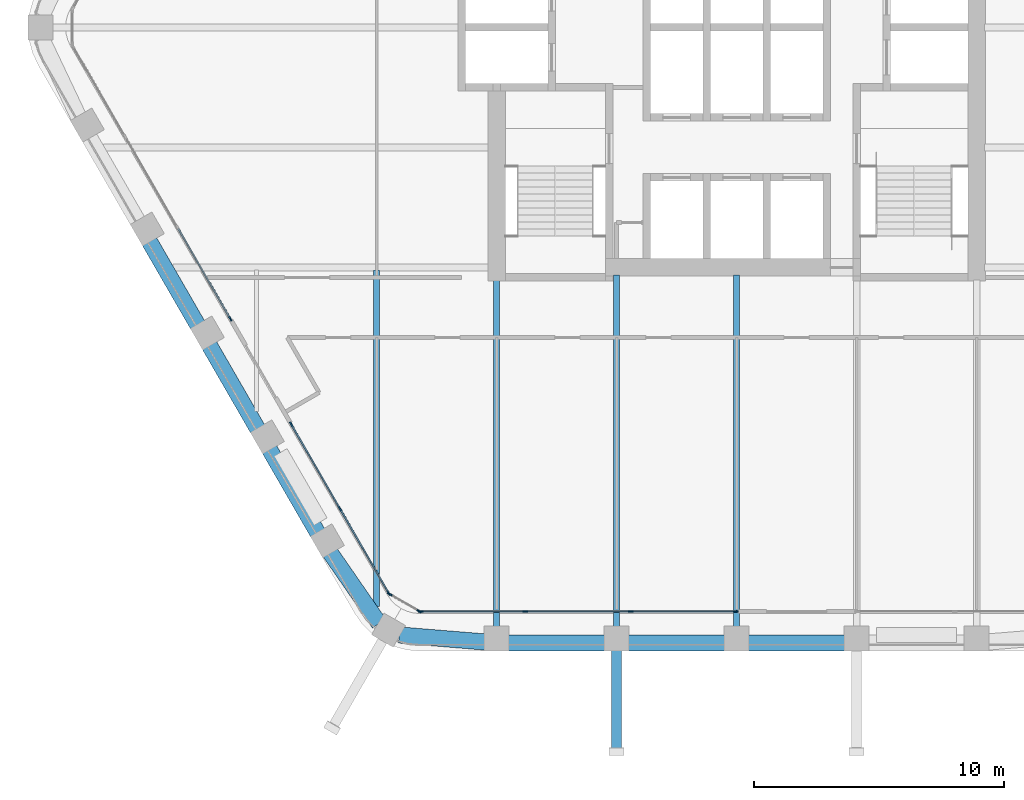
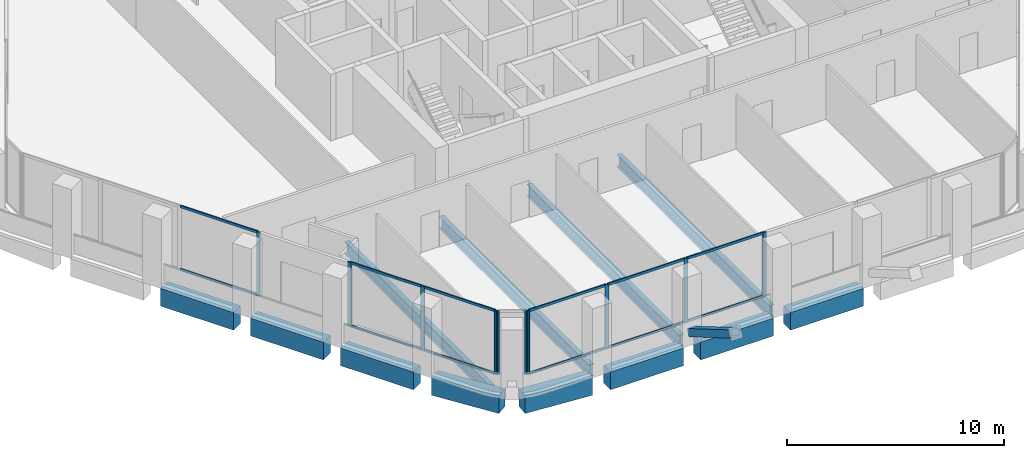
# One storey, part 2 of 16: 23 members, 12 beams, 4 elements without a shape of their own.
"""IFC4 building model written with IfcOpenShell, lengths in metres."""

import ifcopenshell
import ifcopenshell.guid

model = None  # the IFC model being written
_history = None  # IfcOwnerHistory: only IFC2X3 demands one
_inside = {}  # id of a spatial element -> (the spatial element, [elements in it])
_under = {}  # id of a project, library or spatial element -> (it, [spatial elements below it])
_declared = {}  # id of a project -> (the project, [libraries it declares])
_typed = {}  # id of a type object -> (the type object, [elements of that type])
_made_of = {}  # id of a material, layer set ... -> (it, [elements and type objects made of it])


def new_model(schema):
    """Start an empty IFC model of exactly this schema.

    Asked for "IFC4X3", IfcOpenShell would pick the latest addendum, in which some entities
    have other attributes; the version numbers below select the first issue.
    IFC2X3 requires an IfcOwnerHistory on every rooted entity: one is made here for all.
    """
    global model, _history
    if schema == "IFC4X3":
        model = ifcopenshell.file(schema_version=(4, 3, 0, 0))
    else:
        model = ifcopenshell.file(schema=schema)
    _inside.clear()
    _under.clear()
    _declared.clear()
    _typed.clear()
    _made_of.clear()
    _history = None
    if model.schema == "IFC2X3":
        org = make("IfcOrganization", Name="unknown")
        user = make(
            "IfcPersonAndOrganization",
            ThePerson=make("IfcPerson", FamilyName="unknown"),
            TheOrganization=org,
        )
        app = make(
            "IfcApplication",
            ApplicationDeveloper=org,
            Version="unknown",
            ApplicationFullName="unknown",
            ApplicationIdentifier="unknown",
        )
        _history = make(
            "IfcOwnerHistory",
            OwningUser=user,
            OwningApplication=app,
            ChangeAction="ADDED",
            CreationDate=0,
        )
    return model


def make(cls, **values):
    """One entity of the class cls with the attributes given. An attribute that is None is left unset."""
    return model.create_entity(
        cls, **{name: value for name, value in values.items() if value is not None}
    )


def rooted(cls, **values):
    """An entity with a GlobalId (a new one), such as an element, a storey or a relation."""
    return make(cls, GlobalId=ifcopenshell.guid.new(), OwnerHistory=_history, **values)


def si_unit(unit_type, name, prefix=None):
    """IfcSIUnit, for example si_unit("LENGTHUNIT", "METRE", prefix="MILLI")."""
    return make("IfcSIUnit", UnitType=unit_type, Prefix=prefix, Name=name)


def assignment(units):
    """IfcUnitAssignment: the units of a project."""
    return None if units is None else make("IfcUnitAssignment", Units=units)


def point(xyz):
    """IfcCartesianPoint."""
    return None if xyz is None else make("IfcCartesianPoint", Coordinates=xyz)


def direction(xyz):
    """IfcDirection."""
    return None if xyz is None else make("IfcDirection", DirectionRatios=xyz)


def frame(location, z_axis=None, x_axis=None):
    """IfcAxis2Placement3D, a coordinate frame: its origin and axes. An axis left out is left unset."""
    return make(
        "IfcAxis2Placement3D",
        Location=point(location),
        Axis=direction(z_axis),
        RefDirection=direction(x_axis),
    )


def frame_2d(location, x_axis=None):
    """IfcAxis2Placement2D, a coordinate frame in the plane: its origin and x axis."""
    return make(
        "IfcAxis2Placement2D", Location=point(location), RefDirection=direction(x_axis)
    )


def origin():
    """The frame at (0, 0, 0) with its axes left unset."""
    return frame((0.0, 0.0, 0.0))


def origin_2d():
    """The frame at (0, 0) in the plane with its x axis left unset."""
    return frame_2d((0.0, 0.0))


def place(relative_to, where):
    """IfcLocalPlacement: puts the frame where relative to a parent placement (None: the world)."""
    return make(
        "IfcLocalPlacement", PlacementRelTo=relative_to, RelativePlacement=where
    )


def context(
    kind, dimensions, precision=None, world=None, true_north=None, identifier=None
):
    """IfcGeometricRepresentationContext, for example the 3D "Model" context."""
    return make(
        "IfcGeometricRepresentationContext",
        ContextIdentifier=identifier,
        ContextType=kind,
        CoordinateSpaceDimension=dimensions,
        Precision=precision,
        WorldCoordinateSystem=world,
        TrueNorth=true_north,
    )


def subcontext(parent, identifier, kind, view, scale=None):
    """IfcGeometricRepresentationSubContext, for example "Body" below "Model"."""
    return make(
        "IfcGeometricRepresentationSubContext",
        ContextIdentifier=identifier,
        ContextType=kind,
        ParentContext=parent,
        TargetScale=scale,
        TargetView=view,
    )


def project(units=None, contexts=None):
    """IfcProject with its units and contexts."""
    return rooted(
        "IfcProject",
        Name="project",
        RepresentationContexts=contexts,
        UnitsInContext=assignment(units),
    )


def spatial(cls, under=None, at=None, **own):
    """A site, building, storey or space (cls), placed at a placement, below another one or the project."""
    s = rooted(cls, ObjectPlacement=at, **own)
    if under is not None:
        _under.setdefault(under.id(), (under, []))[1].append(s)
    return s


def profile(cls, at=None, kind="AREA", **sizes):
    """A parametric profile (cls). Its sizes go by their IFC names, for example OverallWidth=200.0."""
    return make(cls, ProfileType=kind, Position=at, **sizes)


def rectangle(**sizes):
    """IfcRectangleProfileDef."""
    return profile("IfcRectangleProfileDef", **sizes)


def hollow_rectangle(**sizes):
    """IfcRectangleHollowProfileDef."""
    return profile("IfcRectangleHollowProfileDef", **sizes)


def i_section(**sizes):
    """IfcIShapeProfileDef."""
    return profile("IfcIShapeProfileDef", **sizes)


def extrude(swept, where, along, depth):
    """IfcExtrudedAreaSolid: the profile swept, set in the frame where, extruded along a direction by depth."""
    return make(
        "IfcExtrudedAreaSolid",
        SweptArea=swept,
        Position=where,
        ExtrudedDirection=direction(along),
        Depth=depth,
    )


def shape(context_of_items, identifier, shape_type, items):
    """IfcShapeRepresentation: the items that make up one representation, for example the "Body"."""
    return make(
        "IfcShapeRepresentation",
        ContextOfItems=context_of_items,
        RepresentationIdentifier=identifier,
        RepresentationType=shape_type,
        Items=items,
    )


def material(Name=None, Category=None):
    """IfcMaterial."""
    return make("IfcMaterial", Name=Name, Category=Category)


def material_profile(
    of_material, cross_section, Name=None, Category=None, Priority=None
):
    """IfcMaterialProfile: a cross section and its material."""
    return make(
        "IfcMaterialProfile",
        Name=Name,
        Material=of_material,
        Profile=cross_section,
        Priority=Priority,
        Category=Category,
    )


def profile_set(profiles, Name=None, composite=None):
    """IfcMaterialProfileSet."""
    return make(
        "IfcMaterialProfileSet",
        Name=Name,
        MaterialProfiles=profiles,
        CompositeProfile=composite,
    )


def made_of(thing, what):
    """Note that an element or type object is made of a material, layer set ...; save() writes the relation."""
    if what is not None:
        _made_of.setdefault(what.id(), (what, []))[1].append(thing)
    return thing


def type_object(cls, material=None, **own):
    """A type object (cls), such as IfcWallType, which elements share."""
    return made_of(rooted(cls, **own), material)


def element(
    cls,
    number,
    at=None,
    inside=None,
    cuts=None,
    type_object=None,
    material=None,
    context=None,
    identifier="Body",
    shape_type=None,
    held_by="IfcProductDefinitionShape",
    body=None,
    shapes=None,
    **own,
):
    """One element of the class cls, such as IfcWall. Its Tag is "e" and its number.

    at: its placement. inside: the storey or other place that contains it. cuts: it is an
    opening in that element (IfcRelVoidsElement). A single representation is given by context,
    identifier, shape_type and body (its items); several are given by shapes. held_by: the class
    of the entity that holds the representations. save() writes the other relations.
    """
    e = rooted(cls, Tag="e%d" % number, ObjectPlacement=at, **own)
    if body is not None:
        shapes = [shape(context, identifier, shape_type, body)]
    if shapes is not None:
        e.Representation = make(held_by, Representations=shapes)
    if inside is not None:
        _inside.setdefault(inside.id(), (inside, []))[1].append(e)
    if cuts is not None:
        rooted(
            "IfcRelVoidsElement", RelatingBuildingElement=cuts, RelatedOpeningElement=e
        )
    if type_object is not None:
        _typed.setdefault(type_object.id(), (type_object, []))[1].append(e)
    return made_of(e, material)


def aggregate(whole, parts):
    """IfcRelAggregates: a whole, such as a stair, and the parts it consists of."""
    return rooted("IfcRelAggregates", RelatingObject=whole, RelatedObjects=parts)


def save(model, path):
    """Write the relations noted so far, then the file.

    IfcRelAggregates (storeys below a building ...), IfcRelContainedInSpatialStructure (elements
    in a storey), IfcRelDefinesByType, IfcRelAssociatesMaterial and IfcRelDeclares: one each for
    every whole, place, type object, material and project.
    """
    for whole, parts in _under.values():
        aggregate(whole, parts)
    for where, things in _inside.values():
        rooted(
            "IfcRelContainedInSpatialStructure",
            RelatedElements=things,
            RelatingStructure=where,
        )
    for kind, things in _typed.values():
        rooted("IfcRelDefinesByType", RelatedObjects=things, RelatingType=kind)
    for what, things in _made_of.values():
        rooted("IfcRelAssociatesMaterial", RelatedObjects=things, RelatingMaterial=what)
    for by, libraries in _declared.values():
        rooted("IfcRelDeclares", RelatingContext=by, RelatedDefinitions=libraries)
    model.write(path)


model = new_model("IFC4")

# Units and contexts
model_context = context("Model", 3, precision=1e-05, world=origin(), true_north=direction((0.0, 1.0)))
body_context = subcontext(model_context, "Body", "Model", "MODEL_VIEW")
ifc_project = project(units=[si_unit("LENGTHUNIT", "METRE"), si_unit("AREAUNIT", "SQUARE_METRE"), si_unit("VOLUMEUNIT", "CUBIC_METRE"), si_unit("PLANEANGLEUNIT", "RADIAN"), si_unit("MASSUNIT", "GRAM", prefix="KILO")], contexts=[model_context])

# Site, building, storey
site_placement = place(None, origin())
site = spatial("IfcSite", under=ifc_project, at=site_placement, CompositionType="ELEMENT")
building_placement = place(site_placement, origin())
building = spatial("IfcBuilding", under=site, at=building_placement, Name="Kolab Exchange Tower", CompositionType="ELEMENT")
storey_placement = place(building_placement, frame((0.0, 0.0, 193.39990234375)))
storey = spatial("IfcBuildingStorey", under=building, at=storey_placement, Name="L41", CompositionType="ELEMENT", Elevation=193.39990234375)

# Beams
ifc_material_1 = material(Name="Steel S355", Category="steel")
ifc_material_profile_1 = material_profile(ifc_material_1, i_section(OverallWidth=0.25390625, OverallDepth=0.68408203125, WebThickness=0.012451171875, FlangeThickness=0.018798828125, at=origin_2d()), Name="W690X140")
ifc_profile_set_1 = profile_set([ifc_material_profile_1], Name="Steel S355")
beam_type_1 = type_object("IfcBeamType", Name="FLOOR BEAM W690X140", PredefinedType="BEAM", material=ifc_profile_set_1)
beam_1_placement = place(storey_placement, frame((-14.39990234375, -23.15576171875, -0.491943359375), z_axis=(0.0, 1.0, 0.0), x_axis=(-1.0, 0.0, 0.0)))
element("IfcBeam", 1, at=beam_1_placement, inside=storey, type_object=beam_type_1, Name="beam/L41/fr/005", PredefinedType="BEAM", context=body_context, shape_type="SweptSolid", body=[
    extrude(i_section(OverallWidth=0.25390625, OverallDepth=0.68408203125, WebThickness=0.012451171875, FlangeThickness=0.018798828125, at=origin_2d()), origin(), (0.0, 0.0, 1.0), 13.462158203125),
])
beam_2_placement = place(storey_placement, frame((-9.60009765625, -23.9814453125, -0.491943359375), z_axis=(0.0, 1.0, 0.0), x_axis=(-1.0, 0.0, 0.0)))
element("IfcBeam", 2, at=beam_2_placement, inside=storey, type_object=beam_type_1, Name="beam/L41/fr/007", PredefinedType="BEAM", context=body_context, shape_type="SweptSolid", body=[
    extrude(i_section(OverallWidth=0.25390625, OverallDepth=0.68408203125, WebThickness=0.012451171875, FlangeThickness=0.018798828125, at=origin_2d()), origin(), (0.0, 0.0, 1.0), 13.871337890625),
])
for number, where, z_axis, x_axis, name in (
    (3, (-4.800048828125, -23.9814453125, -0.491943359375), (0.0, 1.0, 0.0), (-1.0, 0.0, 0.0), "beam/L41/fr/009"),
    (4, (0.0, -23.9814453125, -0.491943359375), (0.0, 1.0, 0.0), (-1.0, 0.0, 0.0), "beam/L41/fr/011"),
):
    element("IfcBeam", number, at=place(storey_placement, frame(where, z_axis=z_axis, x_axis=x_axis)), inside=storey, type_object=beam_type_1, Name=name, PredefinedType="BEAM", context=body_context, shape_type="SweptSolid", body=[
        extrude(i_section(OverallWidth=0.25390625, OverallDepth=0.68408203125, WebThickness=0.012451171875, FlangeThickness=0.018798828125, at=origin_2d()), origin(), (0.0, 0.0, 1.0), 14.071533203125),
    ])

# Member
ifc_material_profile_2 = material_profile(ifc_material_1, hollow_rectangle(XDim=0.39990234375, YDim=0.39990234375, WallThickness=0.02001953125, at=origin_2d()), Name="HSS400X400X20")
ifc_profile_set_2 = profile_set([ifc_material_profile_2], Name="Steel S355")
member_type_1 = type_object("IfcMemberType", Name="LEDGE STRUT HSS400X400X20", PredefinedType="STRUT", material=ifc_profile_set_2)
member_1_placement = place(storey_placement, frame((-4.800048828125, -24.901611328125, 0.60009765625), z_axis=(0.0, -0.862719931648, 0.505682034027), x_axis=(1.0, 0.0, 0.0)))
element("IfcMember", 5, at=member_1_placement, inside=storey, type_object=member_type_1, Name="mem/L41/ledge/strut-5", PredefinedType="STRUT", context=body_context, shape_type="SweptSolid", body=[
    extrude(hollow_rectangle(XDim=0.39990234375, YDim=0.39990234375, WallThickness=0.02001953125, at=origin_2d()), origin(), (0.0, 0.0, 1.0), 4.6826171875),
])

# Beams
ifc_material_2 = material(Name="Concrete C60/75", Category="concrete")
ifc_material_profile_3 = material_profile(ifc_material_2, rectangle(XDim=0.64990234375, YDim=1.0, at=origin_2d()), Name="RC650X1000")
ifc_profile_set_3 = profile_set([ifc_material_profile_3], Name="Concrete C60/75")
beam_type_2 = type_object("IfcBeamType", Name="SPANDREL BEAM 650X1000 C60/75", PredefinedType="BEAM", material=ifc_profile_set_3)
for number, where, z_axis, x_axis, name in (
    (6, (4.340087890625, -24.616455078125, -0.64990234375), (-1.0, 0.0, 0.0), (0.0, -1.0, 0.0), "beam/L41/sp/F4-03"),
    (7, (-0.4599609375, -24.616455078125, -0.64990234375), (-1.0, 0.0, 0.0), (0.0, -1.0, 0.0), "beam/L41/sp/F4-04"),
):
    element("IfcBeam", number, at=place(storey_placement, frame(where, z_axis=z_axis, x_axis=x_axis)), inside=storey, type_object=beam_type_2, Name=name, PredefinedType="BEAM", context=body_context, shape_type="SweptSolid", body=[
        extrude(rectangle(XDim=0.64990234375, YDim=1.0, at=origin_2d()), origin(), (0.0, 0.0, 1.0), 3.880126953125),
    ])
beam_3_placement = place(storey_placement, frame((-5.260009765625, -24.616455078125, -0.64990234375), z_axis=(-1.0, 0.0, 0.0), x_axis=(0.0, -1.0, 0.0)))
element("IfcBeam", 8, at=beam_3_placement, inside=storey, type_object=beam_type_2, Name="beam/L41/sp/F4-05", PredefinedType="BEAM", context=body_context, shape_type="SweptSolid", body=[
    extrude(rectangle(XDim=0.64990234375, YDim=1.0, at=origin_2d()), origin(), (0.0, 0.0, 1.0), 3.8798828125),
])
for number, where, z_axis, x_axis, name in (
    (9, (-10.06005859375, -24.5791015625, -0.64990234375), (-0.996708497182, 0.081068931445, 0.0), (-0.081068931445, -0.996708497182, 0.0), "beam/L41/sp/F4-06"),
    (10, (-14.29736328125, -23.8359375, -0.64990234375), (-0.568572281073, 0.822633309073, 0.0), (-0.822633309073, -0.568572281073, 0.0), "beam/L41/sp/F5-01"),
):
    element("IfcBeam", number, at=place(storey_placement, frame(where, z_axis=z_axis, x_axis=x_axis)), inside=storey, type_object=beam_type_2, Name=name, PredefinedType="BEAM", context=body_context, shape_type="SweptSolid", body=[
        extrude(rectangle(XDim=0.64990234375, YDim=1.0, at=origin_2d()), origin(), (0.0, 0.0, 1.0), 3.445068359375),
    ])
beam_4_placement = place(storey_placement, frame((-16.74853515625, -20.2236328125, -0.64990234375), z_axis=(-0.499996613652, 0.866027358884, 0.0), x_axis=(-0.866027358884, -0.499996613652, 0.0)))
element("IfcBeam", 11, at=beam_4_placement, inside=storey, type_object=beam_type_2, Name="beam/L41/sp/F5-02", PredefinedType="BEAM", context=body_context, shape_type="SweptSolid", body=[
    extrude(rectangle(XDim=0.64990234375, YDim=1.0, at=origin_2d()), origin(), (0.0, 0.0, 1.0), 3.8798828125),
])
beam_5_placement = place(storey_placement, frame((-19.1484375, -16.06689453125, -0.64990234375), z_axis=(-0.50001655835, 0.866015843605, 0.0), x_axis=(-0.866015843605, -0.50001655835, 0.0)))
element("IfcBeam", 12, at=beam_5_placement, inside=storey, type_object=beam_type_2, Name="beam/L41/sp/F5-03", PredefinedType="BEAM", context=body_context, shape_type="SweptSolid", body=[
    extrude(rectangle(XDim=0.64990234375, YDim=1.0, at=origin_2d()), origin(), (0.0, 0.0, 1.0), 3.880126953125),
])
beam_6_placement = place(storey_placement, frame((-21.548583984375, -11.909912109375, -0.64990234375), z_axis=(-0.499996613652, 0.866027358884, 0.0), x_axis=(-0.866027358884, -0.499996613652, 0.0)))
element("IfcBeam", 13, at=beam_6_placement, inside=storey, type_object=beam_type_2, Name="beam/L41/sp/F5-04", PredefinedType="BEAM", context=body_context, shape_type="SweptSolid", body=[
    extrude(rectangle(XDim=0.64990234375, YDim=1.0, at=origin_2d()), origin(), (0.0, 0.0, 1.0), 3.8798828125),
])

# Curtain wall, members
ifc_material_3 = material(Name="Aluminium EN AW-6063 T6", Category="aluminium")
curtain_wall_type = type_object("IfcCurtainWallType", Name="UNITISED UPPER MID ZONE CURTAIN WALL", PredefinedType="NOTDEFINED", material=ifc_material_3)
curtain_wall_1_placement = place(storey_placement, origin())
curtain_wall_1 = element("IfcCurtainWall", 14, at=curtain_wall_1_placement, inside=storey, type_object=curtain_wall_type, Name="cw/L41/F4-2", PredefinedType="NOTDEFINED")
ifc_material_profile_4 = material_profile(ifc_material_3, rectangle(XDim=0.06005859375, YDim=0.199951171875, at=origin_2d()), Name="RECT 60X200")
ifc_profile_set_4 = profile_set([ifc_material_profile_4], Name="Aluminium EN AW-6063 T6")
member_type_2 = type_object("IfcMemberType", Name="UNITISED UPPER MID ZONE MULLION 60 X 200", PredefinedType="MULLION", material=ifc_profile_set_4)
member_2_placement = place(storey_placement, frame((-0.030029296875, -23.361572265625, 0.0), z_axis=(0.0, 0.0, 1.0), x_axis=(0.0, -1.0, 0.0)))
member_2 = element("IfcMember", 15, at=member_2_placement, type_object=member_type_2, Name="CW3 mullion 1", PredefinedType="MULLION", context=body_context, shape_type="SweptSolid", body=[
    extrude(rectangle(XDim=0.06005859375, YDim=0.199951171875, at=origin_2d()), origin(), (0.0, 0.0, 1.0), 3.60009765625),
])
member_3_placement = place(storey_placement, frame((-4.22265625, -23.361572265625, 0.0), z_axis=(0.0, 0.0, 1.0), x_axis=(0.0, -1.0, 0.0)))
member_3 = element("IfcMember", 16, at=member_3_placement, type_object=member_type_2, Name="CW3 mullion 2", PredefinedType="MULLION", context=body_context, shape_type="SweptSolid", body=[
    extrude(rectangle(XDim=0.06005859375, YDim=0.199951171875, at=origin_2d()), origin(), (0.0, 0.0, 1.0), 3.60009765625),
])
member_4_placement = place(storey_placement, frame((-8.4453125, -23.361572265625, 0.0), z_axis=(0.0, 0.0, 1.0), x_axis=(0.0, -1.0, 0.0)))
member_4 = element("IfcMember", 17, at=member_4_placement, type_object=member_type_2, Name="CW3 mullion 3", PredefinedType="MULLION", context=body_context, shape_type="SweptSolid", body=[
    extrude(rectangle(XDim=0.06005859375, YDim=0.199951171875, at=origin_2d()), origin(), (0.0, 0.0, 1.0), 3.60009765625),
])
member_5_placement = place(storey_placement, frame((-12.637939453125, -23.361572265625, 0.0), z_axis=(0.0, 0.0, 1.0), x_axis=(0.0, -1.0, 0.0)))
member_5 = element("IfcMember", 18, at=member_5_placement, type_object=member_type_2, Name="CW3 mullion 4", PredefinedType="MULLION", context=body_context, shape_type="SweptSolid", body=[
    extrude(rectangle(XDim=0.06005859375, YDim=0.199951171875, at=origin_2d()), origin(), (0.0, 0.0, 1.0), 3.60009765625),
])

curtain_wall_2_placement = place(storey_placement, origin())
curtain_wall_2 = element("IfcCurtainWall", 19, at=curtain_wall_2_placement, inside=storey, type_object=curtain_wall_type, Name="cw/L41/F5-1", PredefinedType="NOTDEFINED")
member_6_placement = place(storey_placement, frame((-13.91259765625, -22.62548828125, 0.0), z_axis=(0.0, 0.0, 1.0), x_axis=(-0.866025385493, -0.500000031681, 0.0)))
member_6 = element("IfcMember", 20, at=member_6_placement, type_object=member_type_2, Name="CW3 mullion 1", PredefinedType="MULLION", context=body_context, shape_type="SweptSolid", body=[
    extrude(rectangle(XDim=0.06005859375, YDim=0.199951171875, at=origin_2d()), origin(), (0.0, 0.0, 1.0), 3.60009765625),
])
member_7_placement = place(storey_placement, frame((-15.86474609375, -19.24462890625, 0.0), z_axis=(0.0, 0.0, 1.0), x_axis=(-0.866025385493, -0.500000031681, 0.0)))
member_7 = element("IfcMember", 21, at=member_7_placement, type_object=member_type_2, Name="CW3 mullion 2", PredefinedType="MULLION", context=body_context, shape_type="SweptSolid", body=[
    extrude(rectangle(XDim=0.06005859375, YDim=0.199951171875, at=origin_2d()), origin(), (0.0, 0.0, 1.0), 3.60009765625),
])
member_8_placement = place(storey_placement, frame((-17.816650390625, -15.86376953125, 0.0), z_axis=(0.0, 0.0, 1.0), x_axis=(-0.866025385493, -0.500000031681, 0.0)))
member_8 = element("IfcMember", 22, at=member_8_placement, type_object=member_type_2, Name="CW3 mullion 3", PredefinedType="MULLION", context=body_context, shape_type="SweptSolid", body=[
    extrude(rectangle(XDim=0.06005859375, YDim=0.199951171875, at=origin_2d()), origin(), (0.0, 0.0, 1.0), 3.60009765625),
])

# Curtain wall, member
curtain_wall_3_placement = place(storey_placement, origin())
curtain_wall_3 = element("IfcCurtainWall", 23, at=curtain_wall_3_placement, inside=storey, type_object=curtain_wall_type, Name="cw/L41/F5-2", PredefinedType="NOTDEFINED")
member_9_placement = place(storey_placement, frame((-20.24658203125, -11.65478515625, 0.0), z_axis=(0.0, 0.0, 1.0), x_axis=(-0.866025427826, -0.499999958358, 0.0)))
member_9 = element("IfcMember", 24, at=member_9_placement, type_object=member_type_2, Name="CW3 mullion 1", PredefinedType="MULLION", context=body_context, shape_type="SweptSolid", body=[
    extrude(rectangle(XDim=0.06005859375, YDim=0.199951171875, at=origin_2d()), origin(), (0.0, 0.0, 1.0), 3.60009765625),
])

# Curtain wall, members
curtain_wall_4_placement = place(storey_placement, origin())
curtain_wall_4 = element("IfcCurtainWall", 25, at=curtain_wall_4_placement, inside=storey, type_object=curtain_wall_type, Name="cw/L41/F4F5-corner", PredefinedType="NOTDEFINED")
member_10_placement = place(storey_placement, frame((-12.69384765625, -23.346435546875, 0.0), z_axis=(0.0, 0.0, 1.0), x_axis=(-0.50000002237, -0.866025390869, 0.0)))
member_10 = element("IfcMember", 26, at=member_10_placement, type_object=member_type_2, Name="CW3 mullion 1", PredefinedType="MULLION", context=body_context, shape_type="SweptSolid", body=[
    extrude(rectangle(XDim=0.06005859375, YDim=0.199951171875, at=origin_2d()), origin(), (0.0, 0.0, 1.0), 3.60009765625),
])
member_11_placement = place(storey_placement, frame((-13.871826171875, -22.66650390625, 0.0), z_axis=(0.0, 0.0, 1.0), x_axis=(-0.50000002237, -0.866025390869, 0.0)))
member_11 = element("IfcMember", 27, at=member_11_placement, type_object=member_type_2, Name="CW3 mullion 2", PredefinedType="MULLION", context=body_context, shape_type="SweptSolid", body=[
    extrude(rectangle(XDim=0.06005859375, YDim=0.199951171875, at=origin_2d()), origin(), (0.0, 0.0, 1.0), 3.60009765625),
])
aggregate(curtain_wall_4, [member_10, member_11])

# Member
ifc_material_profile_5 = material_profile(ifc_material_3, rectangle(XDim=0.06005859375, YDim=0.139892578125, at=origin_2d()), Name="RECT 60X140")
ifc_profile_set_5 = profile_set([ifc_material_profile_5], Name="Aluminium EN AW-6063 T6")
member_type_3 = type_object("IfcMemberType", Name="UNITISED UPPER MID ZONE TRANSOM 60 X 140", PredefinedType="USERDEFINED", material=ifc_profile_set_5)
member_12_placement = place(storey_placement, frame((-0.06005859375, -23.361572265625, 0.030029296875), z_axis=(-1.0, 0.0, 0.0), x_axis=(0.0, -1.0, 0.0)))
member_12 = element("IfcMember", 28, at=member_12_placement, type_object=member_type_3, Name="CW3 transom 1.1", ObjectType="TRANSOM", PredefinedType="USERDEFINED", context=body_context, shape_type="SweptSolid", body=[
    extrude(rectangle(XDim=0.06005859375, YDim=0.139892578125, at=origin_2d()), origin(), (0.0, 0.0, 1.0), 4.132568359375),
])

member_13_placement = place(storey_placement, frame((-0.06005859375, -23.361572265625, 3.570068359375), z_axis=(-1.0, 0.0, 0.0), x_axis=(0.0, -1.0, 0.0)))
member_13 = element("IfcMember", 29, at=member_13_placement, type_object=member_type_3, Name="CW3 transom 1.2", ObjectType="TRANSOM", PredefinedType="USERDEFINED", context=body_context, shape_type="SweptSolid", body=[
    extrude(rectangle(XDim=0.06005859375, YDim=0.139892578125, at=origin_2d()), origin(), (0.0, 0.0, 1.0), 4.132568359375),
])

member_14_placement = place(storey_placement, frame((-4.252685546875, -23.361572265625, 0.030029296875), z_axis=(-1.0, 0.0, 0.0), x_axis=(0.0, -1.0, 0.0)))
member_14 = element("IfcMember", 30, at=member_14_placement, type_object=member_type_3, Name="CW3 transom 2.1", ObjectType="TRANSOM", PredefinedType="USERDEFINED", context=body_context, shape_type="SweptSolid", body=[
    extrude(rectangle(XDim=0.06005859375, YDim=0.139892578125, at=origin_2d()), origin(), (0.0, 0.0, 1.0), 4.16259765625),
])

member_15_placement = place(storey_placement, frame((-4.252685546875, -23.361572265625, 3.570068359375), z_axis=(-1.0, 0.0, 0.0), x_axis=(0.0, -1.0, 0.0)))
member_15 = element("IfcMember", 31, at=member_15_placement, type_object=member_type_3, Name="CW3 transom 2.2", ObjectType="TRANSOM", PredefinedType="USERDEFINED", context=body_context, shape_type="SweptSolid", body=[
    extrude(rectangle(XDim=0.06005859375, YDim=0.139892578125, at=origin_2d()), origin(), (0.0, 0.0, 1.0), 4.16259765625),
])

member_16_placement = place(storey_placement, frame((-8.475341796875, -23.361572265625, 0.030029296875), z_axis=(-1.0, 0.0, 0.0), x_axis=(0.0, -1.0, 0.0)))
member_16 = element("IfcMember", 32, at=member_16_placement, type_object=member_type_3, Name="CW3 transom 3.1", ObjectType="TRANSOM", PredefinedType="USERDEFINED", context=body_context, shape_type="SweptSolid", body=[
    extrude(rectangle(XDim=0.06005859375, YDim=0.139892578125, at=origin_2d()), origin(), (0.0, 0.0, 1.0), 4.132568359375),
])

member_17_placement = place(storey_placement, frame((-8.475341796875, -23.361572265625, 3.570068359375), z_axis=(-1.0, 0.0, 0.0), x_axis=(0.0, -1.0, 0.0)))
member_17 = element("IfcMember", 33, at=member_17_placement, type_object=member_type_3, Name="CW3 transom 3.2", ObjectType="TRANSOM", PredefinedType="USERDEFINED", context=body_context, shape_type="SweptSolid", body=[
    extrude(rectangle(XDim=0.06005859375, YDim=0.139892578125, at=origin_2d()), origin(), (0.0, 0.0, 1.0), 4.132568359375),
])

aggregate(curtain_wall_1, [member_2, member_3, member_4, member_5, member_12, member_13, member_14, member_15, member_16, member_17])

member_18_placement = place(storey_placement, frame((-13.927734375, -22.599609375, 0.030029296875), z_axis=(-0.499964356602, 0.866045981532, 0.0), x_axis=(-0.866045981532, -0.499964356602, 0.0)))
member_18 = element("IfcMember", 34, at=member_18_placement, type_object=member_type_3, Name="CW3 transom 1.1", ObjectType="TRANSOM", PredefinedType="USERDEFINED", context=body_context, shape_type="SweptSolid", body=[
    extrude(rectangle(XDim=0.06005859375, YDim=0.139892578125, at=origin_2d()), origin(), (0.0, 0.0, 1.0), 3.843994140625),
])

member_19_placement = place(storey_placement, frame((-13.927734375, -22.599609375, 3.570068359375), z_axis=(-0.499964356602, 0.866045981532, 0.0), x_axis=(-0.866045981532, -0.499964356602, 0.0)))
member_19 = element("IfcMember", 35, at=member_19_placement, type_object=member_type_3, Name="CW3 transom 1.2", ObjectType="TRANSOM", PredefinedType="USERDEFINED", context=body_context, shape_type="SweptSolid", body=[
    extrude(rectangle(XDim=0.06005859375, YDim=0.139892578125, at=origin_2d()), origin(), (0.0, 0.0, 1.0), 3.843994140625),
])

member_20_placement = place(storey_placement, frame((-15.879638671875, -19.21875, 0.030029296875), z_axis=(-0.500011990396, 0.866018481016, 0.0), x_axis=(-0.866018481016, -0.500011990396, 0.0)))
member_20 = element("IfcMember", 36, at=member_20_placement, type_object=member_type_3, Name="CW3 transom 2.1", ObjectType="TRANSOM", PredefinedType="USERDEFINED", context=body_context, shape_type="SweptSolid", body=[
    extrude(rectangle(XDim=0.06005859375, YDim=0.139892578125, at=origin_2d()), origin(), (0.0, 0.0, 1.0), 3.84423828125),
])

member_21_placement = place(storey_placement, frame((-15.879638671875, -19.21875, 3.570068359375), z_axis=(-0.500011990396, 0.866018481016, 0.0), x_axis=(-0.866018481016, -0.500011990396, 0.0)))
member_21 = element("IfcMember", 37, at=member_21_placement, type_object=member_type_3, Name="CW3 transom 2.2", ObjectType="TRANSOM", PredefinedType="USERDEFINED", context=body_context, shape_type="SweptSolid", body=[
    extrude(rectangle(XDim=0.06005859375, YDim=0.139892578125, at=origin_2d()), origin(), (0.0, 0.0, 1.0), 3.84423828125),
])

aggregate(curtain_wall_2, [member_6, member_7, member_8, member_18, member_19, member_20, member_21])

member_22_placement = place(storey_placement, frame((-20.26171875, -11.62890625, 0.030029296875), z_axis=(-0.500001996123, 0.866024251319, 0.0), x_axis=(-0.866024251319, -0.500001996123, 0.0)))
member_22 = element("IfcMember", 38, at=member_22_placement, type_object=member_type_3, Name="CW3 transom 1.1", ObjectType="TRANSOM", PredefinedType="USERDEFINED", context=body_context, shape_type="SweptSolid", body=[
    extrude(rectangle(XDim=0.06005859375, YDim=0.139892578125, at=origin_2d()), origin(), (0.0, 0.0, 1.0), 4.1328125),
])

member_23_placement = place(storey_placement, frame((-20.26171875, -11.62890625, 3.570068359375), z_axis=(-0.500001996123, 0.866024251319, 0.0), x_axis=(-0.866024251319, -0.500001996123, 0.0)))
member_23 = element("IfcMember", 39, at=member_23_placement, type_object=member_type_3, Name="CW3 transom 1.2", ObjectType="TRANSOM", PredefinedType="USERDEFINED", context=body_context, shape_type="SweptSolid", body=[
    extrude(rectangle(XDim=0.06005859375, YDim=0.139892578125, at=origin_2d()), origin(), (0.0, 0.0, 1.0), 4.1328125),
])

aggregate(curtain_wall_3, [member_9, member_22, member_23])

save(model, "model.ifc")
